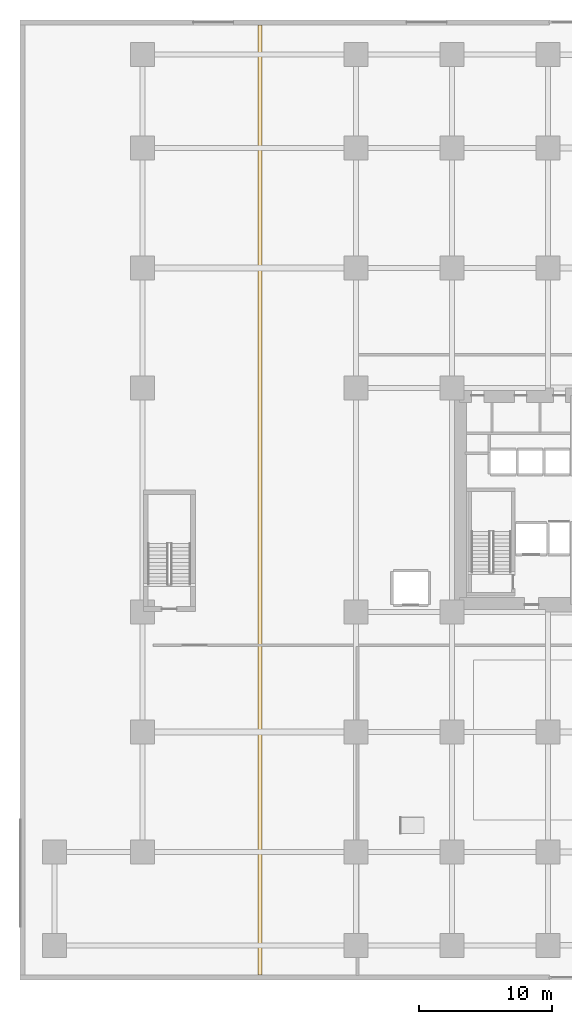
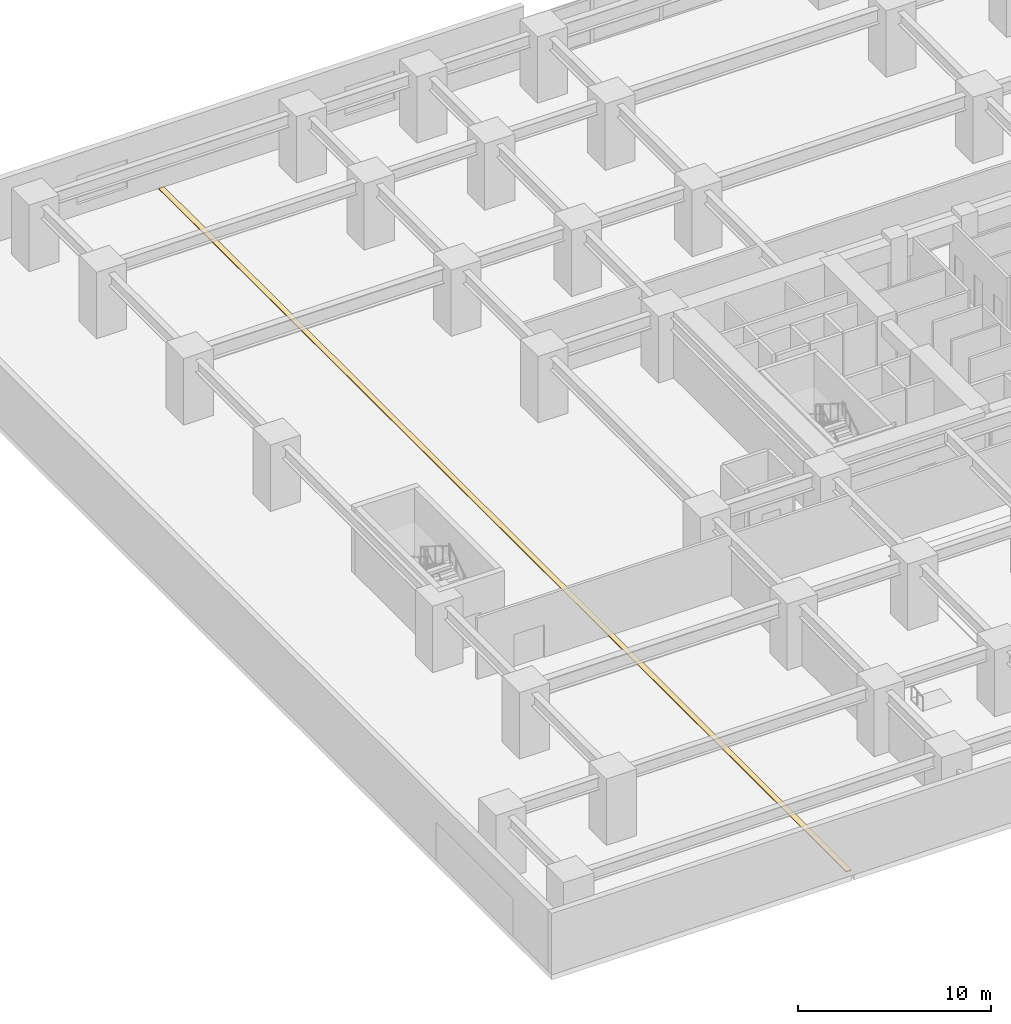
# One storey, part 18 of 22: 1 covering.
"""IFC4 building model written with IfcOpenShell, lengths in metres."""

from ifc_helpers import new_model, si_unit, direction, frame, origin, place, context, subcontext, project, spatial, polyline, outline, extrude, material, layer, layer_set, type_object, element, save


model = new_model("IFC4")

# Units and contexts
model_context = context("Model", 3, precision=1e-05, world=origin(), true_north=direction((0.0, 1.0)))
body_context = subcontext(model_context, "Body", "Model", "MODEL_VIEW")
ifc_project = project(units=[si_unit("LENGTHUNIT", "METRE"), si_unit("AREAUNIT", "SQUARE_METRE"), si_unit("VOLUMEUNIT", "CUBIC_METRE"), si_unit("PLANEANGLEUNIT", "RADIAN"), si_unit("MASSUNIT", "GRAM", prefix="KILO")], contexts=[model_context])

# Site, building, storey
site_placement = place(None, origin())
site = spatial("IfcSite", under=ifc_project, at=site_placement, CompositionType="ELEMENT")
building_placement = place(site_placement, origin())
building = spatial("IfcBuilding", under=site, at=building_placement, Name="Kiyonajd Concourse Tower", CompositionType="ELEMENT")
storey_placement = place(building_placement, frame((0.0, 0.0, 4.5)))
storey = spatial("IfcBuildingStorey", under=building, at=storey_placement, Name="L02", CompositionType="ELEMENT", Elevation=4.5)

# Covering
ifc_material = material(Name="Riyadh Jubaila Limestone", Category="masonry")
ifc_layer = layer(ifc_material, 0.050048828125)
ifc_layer_set = layer_set([ifc_layer], Name="Riyadh Jubaila Limestone")
covering_type = type_object("IfcCoveringType", Name="CV-FLR-RAISED", PredefinedType="FLOORING", material=ifc_layer_set)
covering_placement = place(storey_placement, origin())
element("IfcCovering", 1, at=covering_placement, inside=storey, type_object=covering_type, Name="L02 Seismic Movement Joint MJ1 Floor Cover Assembly", PredefinedType="FLOORING", context=body_context, shape_type="SweptSolid", body=[
    extrude(outline(polyline([(17.840087890625, 0.39990234375), (18.159912109375, 0.39990234375), (18.159912109375, 71.60009765625), (17.840087890625, 71.60009765625), (17.840087890625, 0.39990234375)])), origin(), (0.0, 0.0, 1.0), 0.050048828125),
])

save(model, "model.ifc")
